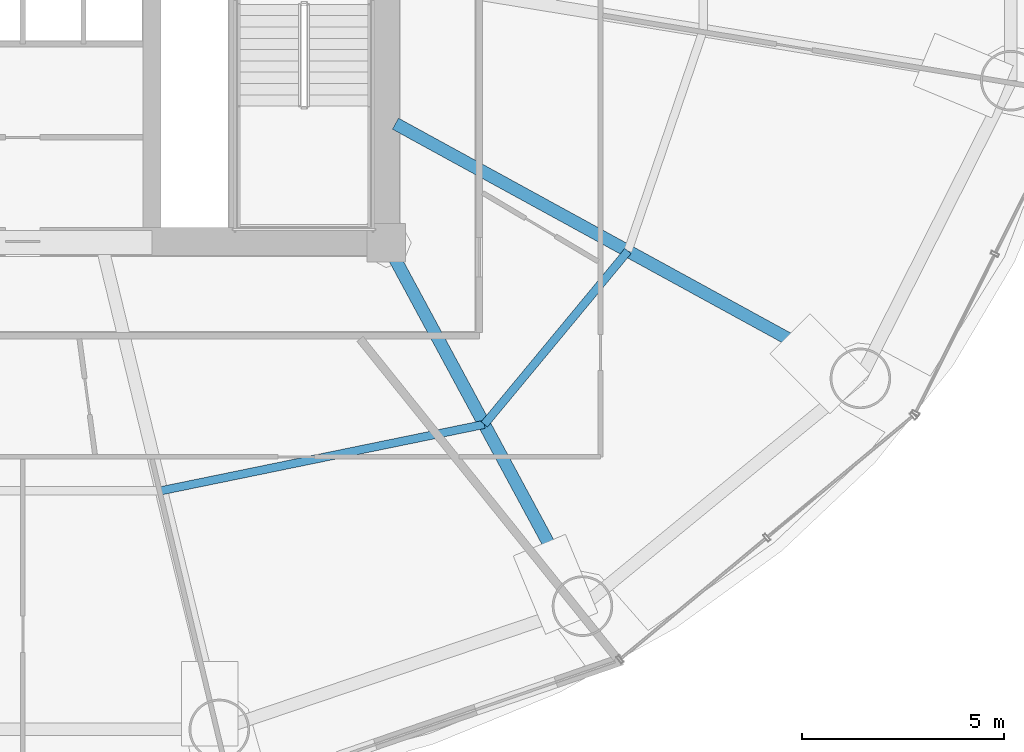
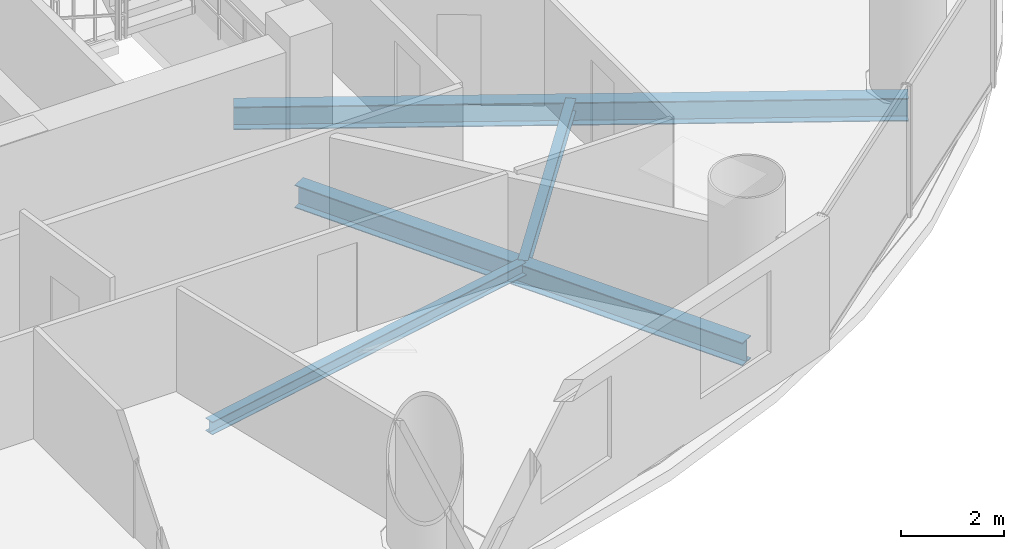
# One storey, part 12 of 29: 4 beams.
"""IFC4 building model written with IfcOpenShell, lengths in metres."""

from ifc_helpers import new_model, si_unit, direction, frame, origin, origin_2d, place, context, subcontext, project, spatial, i_section, extrude, material, material_profile, profile_set, type_object, element, save


model = new_model("IFC4")

# Units and contexts
model_context = context("Model", 3, precision=1e-05, world=origin(), true_north=direction((-0.2419218956, 0.970295726276)))
body_context = subcontext(model_context, "Body", "Model", "MODEL_VIEW")
ifc_project = project(units=[si_unit("LENGTHUNIT", "METRE"), si_unit("AREAUNIT", "SQUARE_METRE"), si_unit("VOLUMEUNIT", "CUBIC_METRE"), si_unit("PLANEANGLEUNIT", "RADIAN"), si_unit("MASSUNIT", "GRAM", prefix="KILO")], contexts=[model_context])

# Site, building, storey
site_placement = place(None, origin())
site = spatial("IfcSite", under=ifc_project, at=site_placement, CompositionType="ELEMENT")
building_placement = place(site_placement, origin())
building = spatial("IfcBuilding", under=site, at=building_placement, Name="Cobrevalo Terracotta Tower", CompositionType="ELEMENT")
storey_placement = place(building_placement, frame((0.0, 0.0, 126.60009765625)))
storey = spatial("IfcBuildingStorey", under=building, at=storey_placement, Name="L33", CompositionType="ELEMENT", Elevation=126.60009765625)

# Beams
ifc_material = material(Name="Steel S355", Category="steel")
ifc_material_profile_1 = material_profile(ifc_material, i_section(OverallWidth=0.31201171875, OverallDepth=0.54296875, WebThickness=0.0126953125, FlangeThickness=0.020263671875, at=origin_2d()), Name="W 530x150")
ifc_profile_set_1 = profile_set([ifc_material_profile_1], Name="Steel S355")
beam_type_1 = type_object("IfcBeamType", Name="Structural Beam W 530x150 (Steel S355)", PredefinedType="BEAM", material=ifc_profile_set_1)
beam_1_placement = place(storey_placement, frame((51.861572265625, 9.79638671875, -0.546630859375), z_axis=(-0.475118249298, 0.879921956303, 0.0), x_axis=(-0.879921956303, -0.475118249298, 0.0)))
element("IfcBeam", 1, at=beam_1_placement, inside=storey, type_object=beam_type_1, Name="L33 radial floor girder 14", PredefinedType="BEAM", context=body_context, shape_type="SweptSolid", body=[
    extrude(i_section(OverallWidth=0.31201171875, OverallDepth=0.54296875, WebThickness=0.0126953125, FlangeThickness=0.020263671875, at=origin_2d()), origin(), (0.0, 0.0, 1.0), 10.232421875),
])
beam_2_placement = place(storey_placement, frame((58.7451171875, 15.4384765625, -0.546630859375), z_axis=(-0.877072765004, 0.480357538599, 0.0), x_axis=(-0.480357538599, -0.877072765004, 0.0)))
element("IfcBeam", 2, at=beam_2_placement, inside=storey, type_object=beam_type_1, Name="L33 radial floor girder 15", PredefinedType="BEAM", context=body_context, shape_type="SweptSolid", body=[
    extrude(i_section(OverallWidth=0.31201171875, OverallDepth=0.54296875, WebThickness=0.0126953125, FlangeThickness=0.020263671875, at=origin_2d()), origin(), (0.0, 0.0, 1.0), 13.129150390625),
])
ifc_material_profile_2 = material_profile(ifc_material, i_section(OverallWidth=0.2041015625, OverallDepth=0.305908203125, WebThickness=0.008544921875, FlangeThickness=0.0146484375, at=origin_2d()), Name="W 310x67")
ifc_profile_set_2 = profile_set([ifc_material_profile_2], Name="Steel S355")
beam_type_2 = type_object("IfcBeamType", Name="Structural Joist W 310x67 (Steel S355)", PredefinedType="JOIST", material=ifc_profile_set_2)
beam_3_placement = place(storey_placement, frame((41.432373046875, 12.656494140625, -0.427978515625), z_axis=(0.979574469315, 0.201081722357, 0.0), x_axis=(-0.201081722357, 0.979574469315, 0.0)))
element("IfcBeam", 3, at=beam_3_placement, inside=storey, type_object=beam_type_2, Name="L33 circumferential secondary floor joist 13", PredefinedType="JOIST", context=body_context, shape_type="SweptSolid", body=[
    extrude(i_section(OverallWidth=0.2041015625, OverallDepth=0.305908203125, WebThickness=0.008544921875, FlangeThickness=0.0146484375, at=origin_2d()), origin(), (0.0, 0.0, 1.0), 8.1650390625),
])
beam_4_placement = place(storey_placement, frame((49.4306640625, 14.29833984375, -0.427978515625), z_axis=(0.6379592588, 0.77007011636, 0.0), x_axis=(-0.77007011636, 0.6379592588, 0.0)))
element("IfcBeam", 4, at=beam_4_placement, inside=storey, type_object=beam_type_2, Name="L33 circumferential secondary floor joist 14", PredefinedType="JOIST", context=body_context, shape_type="SweptSolid", body=[
    extrude(i_section(OverallWidth=0.2041015625, OverallDepth=0.305908203125, WebThickness=0.008544921875, FlangeThickness=0.0146484375, at=origin_2d()), origin(), (0.0, 0.0, 1.0), 5.575439453125),
])

save(model, "model.ifc")
